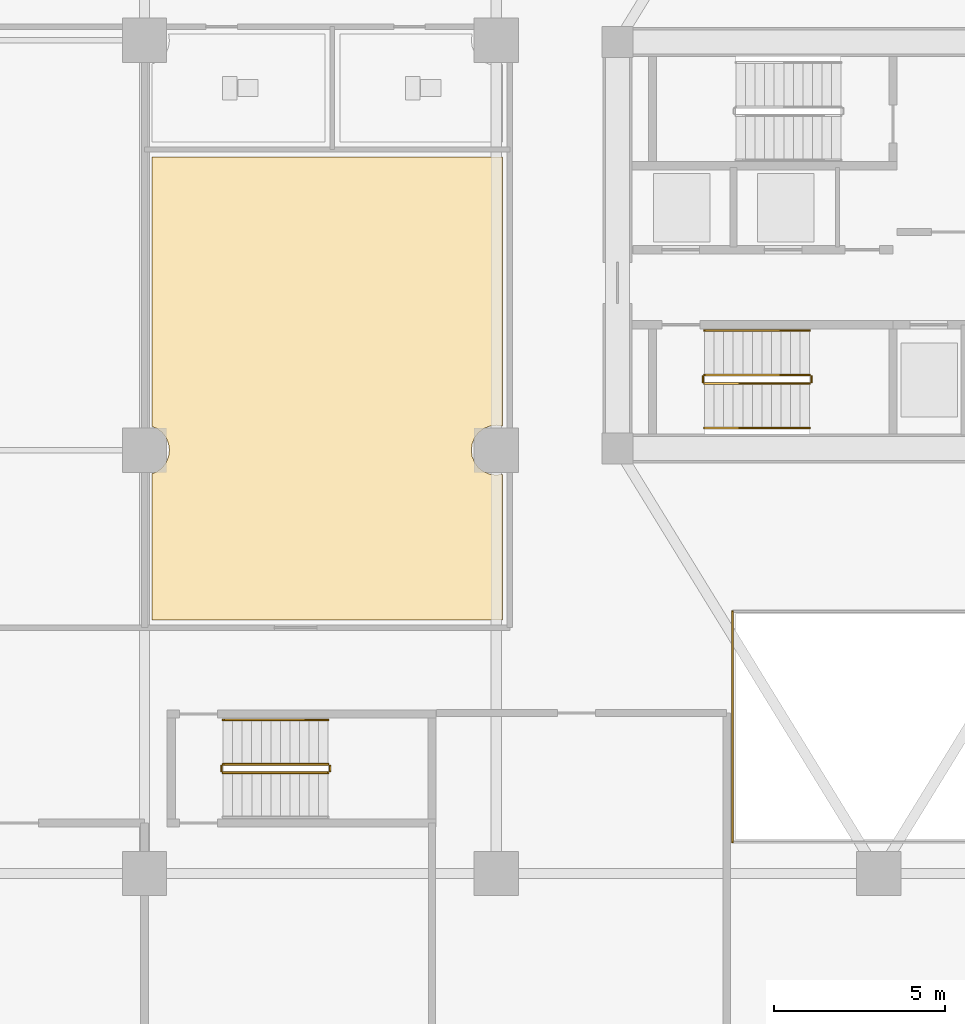
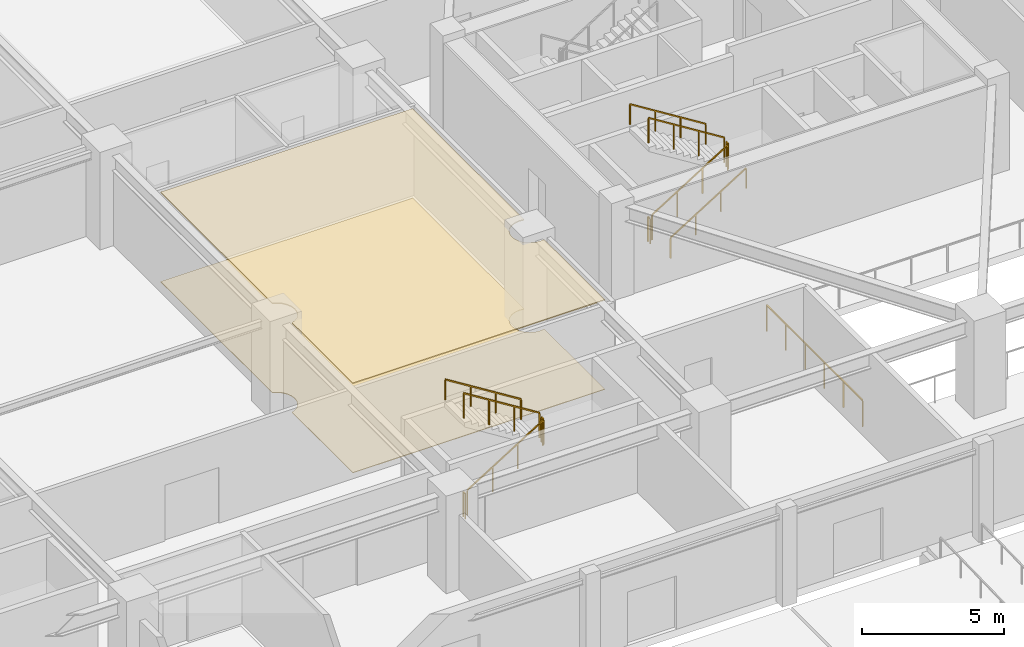
# One storey, part 17 of 22: 12 railings, 2 coverings.
"""IFC4 building model written with IfcOpenShell, lengths in metres."""

from ifc_helpers import new_model, si_unit, direction, frame, origin, origin_2d, place, context, subcontext, project, spatial, polyline, rectangle, outline, extrude, material, layer, layer_set, type_object, element, save


model = new_model("IFC4")

# Units and contexts
model_context = context("Model", 3, precision=1e-05, world=origin(), true_north=direction((0.0, 1.0)))
body_context = subcontext(model_context, "Body", "Model", "MODEL_VIEW")
ifc_project = project(units=[si_unit("LENGTHUNIT", "METRE"), si_unit("AREAUNIT", "SQUARE_METRE"), si_unit("VOLUMEUNIT", "CUBIC_METRE"), si_unit("PLANEANGLEUNIT", "RADIAN"), si_unit("MASSUNIT", "GRAM", prefix="KILO")], contexts=[model_context])

# Site, building, storey
site_placement = place(None, origin())
site = spatial("IfcSite", under=ifc_project, at=site_placement, CompositionType="ELEMENT")
building_placement = place(site_placement, origin())
building = spatial("IfcBuilding", under=site, at=building_placement, Name="Norrkilde Senior Care Towers", CompositionType="ELEMENT")
storey_placement = place(building_placement, origin())
storey = spatial("IfcBuildingStorey", under=building, at=storey_placement, Name="L00", CompositionType="ELEMENT", Elevation=0.0)

# Coverings
ifc_material_1 = material(Name="Nordic Ash Timber", Category="wood")
ifc_layer_1 = layer(ifc_material_1, 0.044921875)
ifc_layer_set_1 = layer_set([ifc_layer_1], Name="Nordic Ash Timber")
covering_type_1 = type_object("IfcCoveringType", Name="Acoustic Ash Timber Slatted Ceiling 45", PredefinedType="CEILING", material=ifc_layer_set_1)
covering_1_placement = place(storey_placement, frame((0.0, 0.0, 3.8349609375)))
element("IfcCovering", 1, at=covering_1_placement, inside=storey, type_object=covering_type_1, Name="L00 Suspended Ceiling 0011", PredefinedType="CEILING", context=body_context, shape_type="SweptSolid", body=[
    extrude(outline(polyline([(6.719970703125, -10.97998046875), (6.719970703125, -6.692138671875), (6.864990234375, -6.632080078125), (7.01611328125, -6.51611328125), (7.132080078125, -6.364990234375), (7.205078125, -6.18896484375), (7.22998046875, -6.0), (7.205078125, -5.81103515625), (7.132080078125, -5.635009765625), (7.01611328125, -5.48388671875), (6.864990234375, -5.367919921875), (6.719970703125, -5.307861328125), (6.719970703125, 2.580078125), (16.97998046875, 2.580078125), (16.97998046875, -5.293701171875), (16.800048828125, -5.27001953125), (16.611083984375, -5.294921875), (16.43505859375, -5.367919921875), (16.28369140625, -5.48388671875), (16.167724609375, -5.635009765625), (16.094970703125, -5.81103515625), (16.070068359375, -6.0), (16.094970703125, -6.18896484375), (16.167724609375, -6.364990234375), (16.28369140625, -6.51611328125), (16.43505859375, -6.632080078125), (16.611083984375, -6.705078125), (16.800048828125, -6.72998046875), (16.97998046875, -6.706298828125), (16.97998046875, -10.97998046875), (6.719970703125, -10.97998046875)])), origin(), (0.0, 0.0, 1.0), 0.044921875),
])
ifc_material_2 = material(Name="Slip-Resistant Porcelain Stone", Category="masonry")
ifc_layer_2 = layer(ifc_material_2, 0.02490234375)
ifc_layer_set_2 = layer_set([ifc_layer_2], Name="Slip-Resistant Porcelain Stone")
covering_type_2 = type_object("IfcCoveringType", Name="Slip-Resistant Porcelain Flooring 25", PredefinedType="FLOORING", material=ifc_layer_set_2)
covering_2_placement = place(storey_placement, origin())
element("IfcCovering", 2, at=covering_2_placement, inside=storey, type_object=covering_type_2, Name="L00 Floor Finish 0011", PredefinedType="FLOORING", context=body_context, shape_type="SweptSolid", body=[
    extrude(outline(polyline([(6.719970703125, -10.97998046875), (6.719970703125, -6.692138671875), (6.864990234375, -6.632080078125), (7.01611328125, -6.51611328125), (7.132080078125, -6.364990234375), (7.205078125, -6.18896484375), (7.22998046875, -6.0), (7.205078125, -5.81103515625), (7.132080078125, -5.635009765625), (7.01611328125, -5.48388671875), (6.864990234375, -5.367919921875), (6.719970703125, -5.307861328125), (6.719970703125, 2.580078125), (16.97998046875, 2.580078125), (16.97998046875, -5.293701171875), (16.800048828125, -5.27001953125), (16.611083984375, -5.294921875), (16.43505859375, -5.367919921875), (16.28369140625, -5.48388671875), (16.167724609375, -5.635009765625), (16.094970703125, -5.81103515625), (16.070068359375, -6.0), (16.094970703125, -6.18896484375), (16.167724609375, -6.364990234375), (16.28369140625, -6.51611328125), (16.43505859375, -6.632080078125), (16.611083984375, -6.705078125), (16.800048828125, -6.72998046875), (16.97998046875, -6.706298828125), (16.97998046875, -10.97998046875), (6.719970703125, -10.97998046875)])), origin(), (0.0, 0.0, 1.0), 0.02490234375),
])

# Railings
ifc_material_3 = material(Name="Stainless Steel", Category="steel")
railing_type_1 = type_object("IfcRailingType", Name="Stair and Terrace Guardrail 1100", PredefinedType="GUARDRAIL", material=ifc_material_3)
railing_1_placement = place(storey_placement, frame((23.719970703125, -17.47998046875, 0.0)))
element("IfcRailing", 3, at=railing_1_placement, inside=storey, type_object=railing_type_1, Name="L00 Ramp Well Guard 1-W", PredefinedType="GUARDRAIL", context=body_context, shape_type="SweptSolid", body=[
    extrude(rectangle(XDim=0.048095703125, YDim=0.048095703125, at=origin_2d()), frame((0.0, 0.0, 1.1259765625), z_axis=(0.0, 1.0, 0.0), x_axis=(-1.0, 0.0, 0.0)), (0.0, 0.0, 1.0), 6.760009765625),
    extrude(rectangle(XDim=0.0419921875, YDim=0.0419921875, at=origin_2d()), origin(), (0.0, 0.0, 1.0), 1.099853515625),
    extrude(rectangle(XDim=0.0419921875, YDim=0.0419921875, at=origin_2d()), frame((0.0, 1.35205078125, 0.0)), (0.0, 0.0, 1.0), 1.099853515625),
    extrude(rectangle(XDim=0.0419921875, YDim=0.0419921875, at=origin_2d()), frame((0.0, 2.7041015625, 0.0)), (0.0, 0.0, 1.0), 1.099853515625),
    extrude(rectangle(XDim=0.0419921875, YDim=0.0419921875, at=origin_2d()), frame((0.0, 4.055908203125, 0.0)), (0.0, 0.0, 1.0), 1.099853515625),
    extrude(rectangle(XDim=0.0419921875, YDim=0.0419921875, at=origin_2d()), frame((0.0, 5.407958984375, 0.0)), (0.0, 0.0, 1.0), 1.099853515625),
    extrude(rectangle(XDim=0.0419921875, YDim=0.0419921875, at=origin_2d()), frame((0.0, 6.760009765625, 0.0)), (0.0, 0.0, 1.0), 1.099853515625),
])
railing_2_placement = place(storey_placement, frame((22.89990234375, -4.050048828125, 0.175048828125)))
element("IfcRailing", 4, at=railing_2_placement, inside=storey, type_object=railing_type_1, Name="L00 ST-E2 stair guard 1", PredefinedType="GUARDRAIL", context=body_context, shape_type="SweptSolid", body=[
    extrude(rectangle(XDim=0.048095703125, YDim=0.048095703125, at=origin_2d()), frame((0.0, 0.0, 1.076171875), z_axis=(0.847998304005, 0.0, 0.529998940003), x_axis=(0.0, 1.0, 0.0)), (0.0, 0.0, 1.0), 3.632080078125),
    extrude(rectangle(XDim=0.0419921875, YDim=0.0419921875, at=origin_2d()), origin(), (0.0, 0.0, 1.0), 1.050048828125),
    extrude(rectangle(XDim=0.0419921875, YDim=0.0419921875, at=origin_2d()), frame((1.026611328125, 0.0, 0.6416015625)), (0.0, 0.0, 1.0), 1.050048828125),
    extrude(rectangle(XDim=0.0419921875, YDim=0.0419921875, at=origin_2d()), frame((2.053466796875, 0.0, 1.283447265625)), (0.0, 0.0, 1.0), 1.050048828125),
    extrude(rectangle(XDim=0.0419921875, YDim=0.0419921875, at=origin_2d()), frame((3.080078125, 0.0, 1.925048828125)), (0.0, 0.0, 1.0), 1.050048828125),
])
railing_3_placement = place(storey_placement, frame((26.030029296875, -4.0, 2.10009765625)))
element("IfcRailing", 5, at=railing_3_placement, inside=storey, type_object=railing_type_1, Name="L00 ST-E2 stair guard 2", PredefinedType="GUARDRAIL", context=body_context, shape_type="SweptSolid", body=[
    extrude(rectangle(XDim=0.048095703125, YDim=0.048095703125, at=origin_2d()), frame((0.0, 0.0, 1.076171875), z_axis=(0.0, 1.0, 0.0), x_axis=(-1.0, 0.0, 0.0)), (0.0, 0.0, 1.0), 0.14990234375),
    extrude(rectangle(XDim=0.0419921875, YDim=0.0419921875, at=origin_2d()), origin(), (0.0, 0.0, 1.0), 1.050048828125),
    extrude(rectangle(XDim=0.0419921875, YDim=0.0419921875, at=origin_2d()), frame((0.0, 0.14990234375, 0.0)), (0.0, 0.0, 1.0), 1.050048828125),
])
railing_4_placement = place(storey_placement, frame((25.97998046875, -3.800048828125, 2.27490234375)))
element("IfcRailing", 6, at=railing_4_placement, inside=storey, type_object=railing_type_1, Name="L00 ST-E2 stair guard 3", PredefinedType="GUARDRAIL", context=body_context, shape_type="SweptSolid", body=[
    extrude(rectangle(XDim=0.048095703125, YDim=0.048095703125, at=origin_2d()), frame((0.0, 0.0, 1.076171875), z_axis=(-0.847998304005, 0.0, 0.529998940003), x_axis=(0.0, -1.0, 0.0)), (0.0, 0.0, 1.0), 3.632080078125),
    extrude(rectangle(XDim=0.0419921875, YDim=0.0419921875, at=origin_2d()), origin(), (0.0, 0.0, 1.0), 1.050048828125),
    extrude(rectangle(XDim=0.0419921875, YDim=0.0419921875, at=origin_2d()), frame((-1.026611328125, 0.0, 0.6416015625)), (0.0, 0.0, 1.0), 1.050048828125),
    extrude(rectangle(XDim=0.0419921875, YDim=0.0419921875, at=origin_2d()), frame((-2.053466796875, 0.0, 1.283447265625)), (0.0, 0.0, 1.0), 1.050048828125),
    extrude(rectangle(XDim=0.0419921875, YDim=0.0419921875, at=origin_2d()), frame((-3.080078125, 0.0, 1.925048828125)), (0.0, 0.0, 1.0), 1.050048828125),
])
railing_5_placement = place(storey_placement, frame((22.85009765625, -4.0, 0.0)))
element("IfcRailing", 7, at=railing_5_placement, inside=storey, type_object=railing_type_1, Name="L00 ST-E2 stair guard 4", PredefinedType="GUARDRAIL", context=body_context, shape_type="SweptSolid", body=[
    extrude(rectangle(XDim=0.048095703125, YDim=0.048095703125, at=origin_2d()), frame((0.0, 0.0, 1.076171875), z_axis=(0.0, 1.0, 0.0), x_axis=(-1.0, 0.0, 0.0)), (0.0, 0.0, 1.0), 0.14990234375),
    extrude(rectangle(XDim=0.0419921875, YDim=0.0419921875, at=origin_2d()), origin(), (0.0, 0.0, 1.0), 1.050048828125),
    extrude(rectangle(XDim=0.0419921875, YDim=0.0419921875, at=origin_2d()), frame((0.0, 0.14990234375, 0.0)), (0.0, 0.0, 1.0), 1.050048828125),
])
railing_6_placement = place(storey_placement, frame((8.800048828125, -15.449951171875, 0.175048828125)))
element("IfcRailing", 8, at=railing_6_placement, inside=storey, type_object=railing_type_1, Name="L00 ST-P2 stair guard 1", PredefinedType="GUARDRAIL", context=body_context, shape_type="SweptSolid", body=[
    extrude(rectangle(XDim=0.048095703125, YDim=0.048095703125, at=origin_2d()), frame((0.0, 0.0, 1.076171875), z_axis=(0.847979421464, 0.0, 0.530029150871), x_axis=(0.0, 1.0, 0.0)), (0.0, 0.0, 1.0), 3.632080078125),
    extrude(rectangle(XDim=0.0419921875, YDim=0.0419921875, at=origin_2d()), origin(), (0.0, 0.0, 1.0), 1.050048828125),
    extrude(rectangle(XDim=0.0419921875, YDim=0.0419921875, at=origin_2d()), frame((1.026611328125, 0.0, 0.6416015625)), (0.0, 0.0, 1.0), 1.050048828125),
    extrude(rectangle(XDim=0.0419921875, YDim=0.0419921875, at=origin_2d()), frame((2.05322265625, 0.0, 1.283447265625)), (0.0, 0.0, 1.0), 1.050048828125),
    extrude(rectangle(XDim=0.0419921875, YDim=0.0419921875, at=origin_2d()), frame((3.079833984375, 0.0, 1.925048828125)), (0.0, 0.0, 1.0), 1.050048828125),
])
railing_7_placement = place(storey_placement, frame((11.929931640625, -15.39990234375, 2.10009765625)))
element("IfcRailing", 9, at=railing_7_placement, inside=storey, type_object=railing_type_1, Name="L00 ST-P2 stair guard 2", PredefinedType="GUARDRAIL", context=body_context, shape_type="SweptSolid", body=[
    extrude(rectangle(XDim=0.048095703125, YDim=0.048095703125, at=origin_2d()), frame((0.0, 0.0, 1.076171875), z_axis=(0.0, 1.0, 0.0), x_axis=(-1.0, 0.0, 0.0)), (0.0, 0.0, 1.0), 0.14990234375),
    extrude(rectangle(XDim=0.0419921875, YDim=0.0419921875, at=origin_2d()), origin(), (0.0, 0.0, 1.0), 1.050048828125),
    extrude(rectangle(XDim=0.0419921875, YDim=0.0419921875, at=origin_2d()), frame((0.0, 0.14990234375, 0.0)), (0.0, 0.0, 1.0), 1.050048828125),
])
railing_8_placement = place(storey_placement, frame((11.8798828125, -15.199951171875, 2.27490234375)))
element("IfcRailing", 10, at=railing_8_placement, inside=storey, type_object=railing_type_1, Name="L00 ST-P2 stair guard 3", PredefinedType="GUARDRAIL", context=body_context, shape_type="SweptSolid", body=[
    extrude(rectangle(XDim=0.048095703125, YDim=0.048095703125, at=origin_2d()), frame((0.0, 0.0, 1.076171875), z_axis=(-0.847979421464, 0.0, 0.530029150871), x_axis=(0.0, -1.0, 0.0)), (0.0, 0.0, 1.0), 3.632080078125),
    extrude(rectangle(XDim=0.0419921875, YDim=0.0419921875, at=origin_2d()), origin(), (0.0, 0.0, 1.0), 1.050048828125),
    extrude(rectangle(XDim=0.0419921875, YDim=0.0419921875, at=origin_2d()), frame((-1.026611328125, 0.0, 0.6416015625)), (0.0, 0.0, 1.0), 1.050048828125),
    extrude(rectangle(XDim=0.0419921875, YDim=0.0419921875, at=origin_2d()), frame((-2.05322265625, 0.0, 1.283447265625)), (0.0, 0.0, 1.0), 1.050048828125),
    extrude(rectangle(XDim=0.0419921875, YDim=0.0419921875, at=origin_2d()), frame((-3.079833984375, 0.0, 1.925048828125)), (0.0, 0.0, 1.0), 1.050048828125),
])
railing_9_placement = place(storey_placement, frame((8.75, -15.39990234375, 0.0)))
element("IfcRailing", 11, at=railing_9_placement, inside=storey, type_object=railing_type_1, Name="L00 ST-P2 stair guard 4", PredefinedType="GUARDRAIL", context=body_context, shape_type="SweptSolid", body=[
    extrude(rectangle(XDim=0.048095703125, YDim=0.048095703125, at=origin_2d()), frame((0.0, 0.0, 1.076171875), z_axis=(0.0, 1.0, 0.0), x_axis=(-1.0, 0.0, 0.0)), (0.0, 0.0, 1.0), 0.14990234375),
    extrude(rectangle(XDim=0.0419921875, YDim=0.0419921875, at=origin_2d()), origin(), (0.0, 0.0, 1.0), 1.050048828125),
    extrude(rectangle(XDim=0.0419921875, YDim=0.0419921875, at=origin_2d()), frame((0.0, 0.14990234375, 0.0)), (0.0, 0.0, 1.0), 1.050048828125),
])
railing_type_2 = type_object("IfcRailingType", Name="Wall and Stair Handrail 900", PredefinedType="HANDRAIL", material=ifc_material_1)
railing_10_placement = place(storey_placement, frame((22.89990234375, -5.35009765625, 0.175048828125)))
element("IfcRailing", 12, at=railing_10_placement, inside=storey, type_object=railing_type_2, Name="L00 ST-E2 stair handrail 1", PredefinedType="HANDRAIL", context=body_context, shape_type="SweptSolid", body=[
    extrude(rectangle(XDim=0.048095703125, YDim=0.048095703125, at=origin_2d()), frame((0.0, 0.0, 0.8759765625), z_axis=(0.847998304005, 0.0, 0.529998940003), x_axis=(0.0, 1.0, 0.0)), (0.0, 0.0, 1.0), 3.632080078125),
    extrude(rectangle(XDim=0.0419921875, YDim=0.0419921875, at=origin_2d()), origin(), (0.0, 0.0, 1.0), 0.849853515625),
    extrude(rectangle(XDim=0.0419921875, YDim=0.0419921875, at=origin_2d()), frame((1.026611328125, 0.0, 0.6416015625)), (0.0, 0.0, 1.0), 0.849853515625),
    extrude(rectangle(XDim=0.0419921875, YDim=0.0419921875, at=origin_2d()), frame((2.053466796875, 0.0, 1.283447265625)), (0.0, 0.0, 1.0), 0.849853515625),
    extrude(rectangle(XDim=0.0419921875, YDim=0.0419921875, at=origin_2d()), frame((3.080078125, 0.0, 1.925048828125)), (0.0, 0.0, 1.0), 0.849853515625),
])
railing_11_placement = place(storey_placement, frame((25.97998046875, -2.5, 2.27490234375)))
element("IfcRailing", 13, at=railing_11_placement, inside=storey, type_object=railing_type_2, Name="L00 ST-E2 stair handrail 2", PredefinedType="HANDRAIL", context=body_context, shape_type="SweptSolid", body=[
    extrude(rectangle(XDim=0.048095703125, YDim=0.048095703125, at=origin_2d()), frame((0.0, 0.0, 0.8759765625), z_axis=(-0.847998304005, 0.0, 0.529998940003), x_axis=(0.0, -1.0, 0.0)), (0.0, 0.0, 1.0), 3.632080078125),
    extrude(rectangle(XDim=0.0419921875, YDim=0.0419921875, at=origin_2d()), origin(), (0.0, 0.0, 1.0), 0.849853515625),
    extrude(rectangle(XDim=0.0419921875, YDim=0.0419921875, at=origin_2d()), frame((-1.026611328125, 0.0, 0.6416015625)), (0.0, 0.0, 1.0), 0.849853515625),
    extrude(rectangle(XDim=0.0419921875, YDim=0.0419921875, at=origin_2d()), frame((-2.053466796875, 0.0, 1.283447265625)), (0.0, 0.0, 1.0), 0.849853515625),
    extrude(rectangle(XDim=0.0419921875, YDim=0.0419921875, at=origin_2d()), frame((-3.080078125, 0.0, 1.925048828125)), (0.0, 0.0, 1.0), 0.849853515625),
])
railing_12_placement = place(storey_placement, frame((11.8798828125, -13.89990234375, 2.27490234375)))
element("IfcRailing", 14, at=railing_12_placement, inside=storey, type_object=railing_type_2, Name="L00 ST-P2 stair handrail 2", PredefinedType="HANDRAIL", context=body_context, shape_type="SweptSolid", body=[
    extrude(rectangle(XDim=0.048095703125, YDim=0.048095703125, at=origin_2d()), frame((0.0, 0.0, 0.8759765625), z_axis=(-0.847979421464, 0.0, 0.530029150871), x_axis=(0.0, -1.0, 0.0)), (0.0, 0.0, 1.0), 3.632080078125),
    extrude(rectangle(XDim=0.0419921875, YDim=0.0419921875, at=origin_2d()), origin(), (0.0, 0.0, 1.0), 0.849853515625),
    extrude(rectangle(XDim=0.0419921875, YDim=0.0419921875, at=origin_2d()), frame((-1.026611328125, 0.0, 0.6416015625)), (0.0, 0.0, 1.0), 0.849853515625),
    extrude(rectangle(XDim=0.0419921875, YDim=0.0419921875, at=origin_2d()), frame((-2.05322265625, 0.0, 1.283447265625)), (0.0, 0.0, 1.0), 0.849853515625),
    extrude(rectangle(XDim=0.0419921875, YDim=0.0419921875, at=origin_2d()), frame((-3.079833984375, 0.0, 1.925048828125)), (0.0, 0.0, 1.0), 0.849853515625),
])

save(model, "model.ifc")
